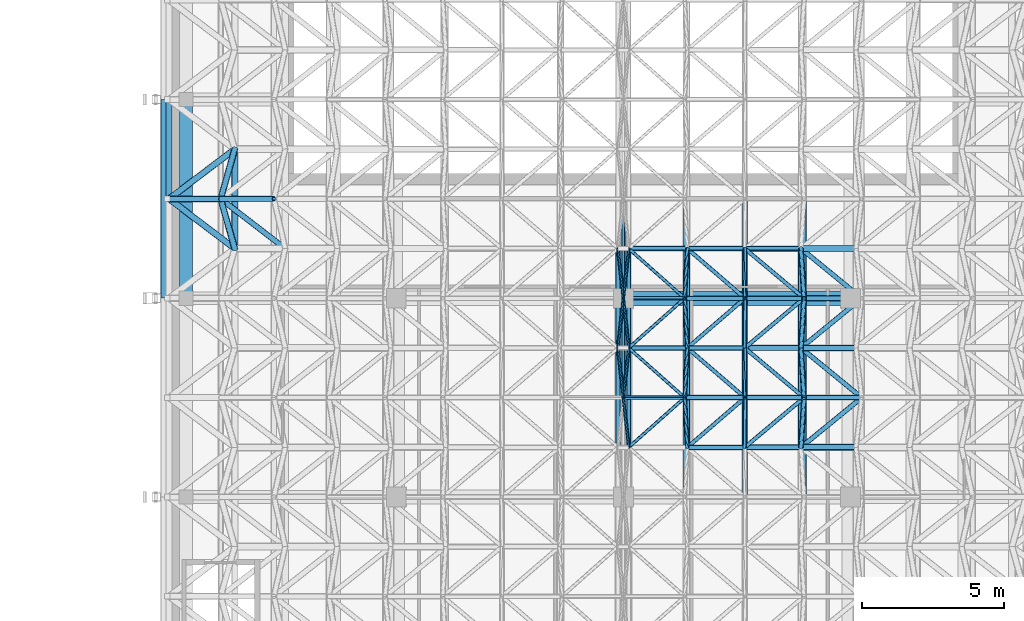
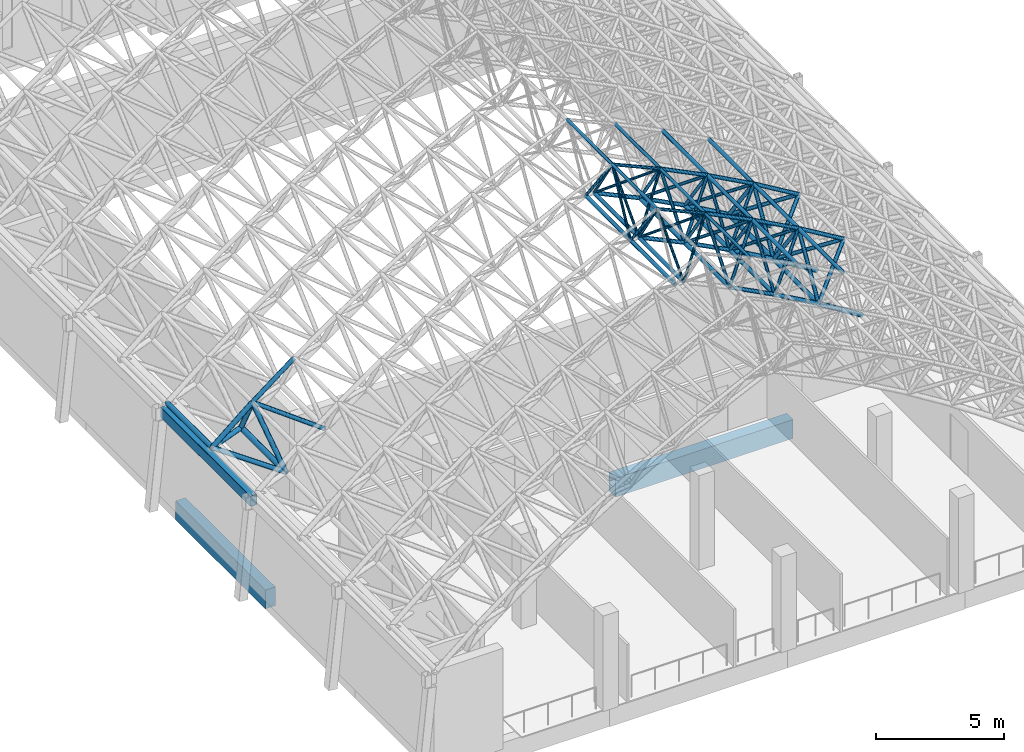
# One storey, part 42 of 141: 84 members, 3 beams.
"""IFC4 building model written with IfcOpenShell, lengths in metres."""

from ifc_helpers import new_model, si_unit, direction, frame, origin, origin_2d, place, context, subcontext, project, spatial, rectangle, hollow_rectangle, hollow_circle, extrude, material, material_profile, profile_set, type_object, element, save


model = new_model("IFC4")

# Units and contexts
model_context = context("Model", 3, precision=1e-05, world=origin(), true_north=direction((0.0, 1.0)))
body_context = subcontext(model_context, "Body", "Model", "MODEL_VIEW")
ifc_project = project(units=[si_unit("LENGTHUNIT", "METRE"), si_unit("AREAUNIT", "SQUARE_METRE"), si_unit("VOLUMEUNIT", "CUBIC_METRE"), si_unit("PLANEANGLEUNIT", "RADIAN"), si_unit("MASSUNIT", "GRAM", prefix="KILO")], contexts=[model_context])

# Site, building, storey
site_placement = place(None, origin())
site = spatial("IfcSite", under=ifc_project, at=site_placement, CompositionType="ELEMENT")
building_placement = place(site_placement, origin())
building = spatial("IfcBuilding", under=site, at=building_placement, Name="Lantern Court Media Centre", CompositionType="ELEMENT")
storey_placement = place(building_placement, frame((0.0, 0.0, 9.60009765625)))
storey = spatial("IfcBuildingStorey", under=building, at=storey_placement, Name="L02", CompositionType="ELEMENT", Elevation=9.60009765625)

# Beams
ifc_material_1 = material(Name="Concrete C35", Category="concrete")
ifc_material_profile_1 = material_profile(ifc_material_1, rectangle(XDim=0.449951171875, YDim=0.89990234375, at=origin_2d()), Name="RC 450x900")
ifc_profile_set_1 = profile_set([ifc_material_profile_1], Name="Concrete C35")
beam_type_1 = type_object("IfcBeamType", Name="RC BEAM 450x900", PredefinedType="BEAM", material=ifc_profile_set_1)
beam_1_placement = place(storey_placement, frame((72.60009765625, 12.0, -0.4501953125), z_axis=(0.0, 1.0, 0.0), x_axis=(-1.0, 0.0, 0.0)))
element("IfcBeam", 1, at=beam_1_placement, inside=storey, type_object=beam_type_1, Name="HB-V2-L02-FY0-2", PredefinedType="BEAM", context=body_context, shape_type="SweptSolid", body=[
    extrude(rectangle(XDim=0.449951171875, YDim=0.89990234375, at=origin_2d()), origin(), (0.0, 0.0, 1.0), 7.0),
])
ifc_material_profile_2 = material_profile(ifc_material_1, rectangle(XDim=0.5, YDim=0.89990234375, at=origin_2d()), Name="RC 500x900")
ifc_profile_set_2 = profile_set([ifc_material_profile_2], Name="Concrete C35")
beam_type_2 = type_object("IfcBeamType", Name="RC BEAM 500x900", PredefinedType="BEAM", material=ifc_profile_set_2)
beam_2_placement = place(storey_placement, frame((88.0, 12.0, -0.4501953125), z_axis=(1.0, 0.0, 0.0), x_axis=(0.0, 1.0, 0.0)))
element("IfcBeam", 2, at=beam_2_placement, inside=storey, type_object=beam_type_2, Name="HB-V2-L02-FX2-2", PredefinedType="BEAM", context=body_context, shape_type="SweptSolid", body=[
    extrude(rectangle(XDim=0.5, YDim=0.89990234375, at=origin_2d()), origin(), (0.0, 0.0, 1.0), 8.0),
])

# Members
ifc_material_2 = material(Name="Steel S355J2 (EN 10025-2)", Category="steel")
ifc_material_profile_3 = material_profile(ifc_material_2, hollow_circle(Radius=0.084228515625, WallThickness=0.00634765625, at=origin_2d()), Name="Studio Hall bottom CHS 168.3x6.3")
ifc_profile_set_3 = profile_set([ifc_material_profile_3], Name="Steel S355J2 (EN 10025-2)")
member_type_1 = type_object("IfcMemberType", Name="Studio Hall bottom CHS 168.3x6.3", PredefinedType="CHORD", material=ifc_profile_set_3)
for number, where, z_axis, x_axis, name in (
    (3, (87.812255859375, 6.75, 12.31884765625), (0.0, 1.0, 0.0), (-1.0, 0.0, 0.0), "Studio Hall bottom chord 08-03"),
    (4, (88.187744140625, 6.75, 12.31884765625), (0.0, 1.0, 0.0), (-1.0, 0.0, 0.0), "Studio Hall bottom chord 09-03"),
    (5, (87.812255859375, 10.25, 12.31884765625), (0.0, 1.0, 0.0), (-1.0, 0.0, 0.0), "Studio Hall bottom chord 08-04"),
    (6, (88.187744140625, 10.25, 12.31884765625), (0.0, 1.0, 0.0), (-1.0, 0.0, 0.0), "Studio Hall bottom chord 09-04"),
):
    element("IfcMember", number, at=place(storey_placement, frame(where, z_axis=z_axis, x_axis=x_axis)), inside=storey, type_object=member_type_1, Name=name, PredefinedType="CHORD", context=body_context, shape_type="SweptSolid", body=[
        extrude(hollow_circle(Radius=0.084228515625, WallThickness=0.00634765625, at=origin_2d()), origin(), (0.0, 0.0, 1.0), 3.5),
    ])
ifc_material_profile_4 = material_profile(ifc_material_2, hollow_circle(Radius=0.0888671875, WallThickness=0.008056640625, at=origin_2d()), Name="Studio Hall bottom CHS 177.8x8")
ifc_profile_set_4 = profile_set([ifc_material_profile_4], Name="Steel S355J2 (EN 10025-2)")
member_type_2 = type_object("IfcMemberType", Name="Studio Hall bottom CHS 177.8x8", PredefinedType="CHORD", material=ifc_profile_set_4)
for number, where, z_axis, x_axis, name in (
    (7, (90.251708984375, 6.75, 11.3466796875), (0.0, 1.0, 0.0), (-1.0, 0.0, 0.0), "Studio Hall bottom chord 10-03"),
    (8, (92.275634765625, 6.75, 10.2939453125), (0.0, 1.0, 0.0), (-1.0, 0.0, 0.0), "Studio Hall bottom chord 11-03"),
    (9, (90.251708984375, 10.25, 11.3466796875), (0.0, 1.0, 0.0), (-1.0, 0.0, 0.0), "Studio Hall bottom chord 10-04"),
    (10, (92.275634765625, 10.25, 10.2939453125), (0.0, 1.0, 0.0), (-1.0, 0.0, 0.0), "Studio Hall bottom chord 11-04"),
):
    element("IfcMember", number, at=place(storey_placement, frame(where, z_axis=z_axis, x_axis=x_axis)), inside=storey, type_object=member_type_2, Name=name, PredefinedType="CHORD", context=body_context, shape_type="SweptSolid", body=[
        extrude(hollow_circle(Radius=0.0888671875, WallThickness=0.008056640625, at=origin_2d()), origin(), (0.0, 0.0, 1.0), 3.5),
    ])
member_1_placement = place(storey_placement, frame((90.251708984375, 6.75, 11.3466796875), z_axis=(0.887164230848, 0.0, -0.461453819471), x_axis=(0.0, 1.0, 0.0)))
element("IfcMember", 11, at=member_1_placement, inside=storey, type_object=member_type_2, Name="Studio Hall bottom chord 10-03 across", PredefinedType="CHORD", context=body_context, shape_type="SweptSolid", body=[
    extrude(hollow_circle(Radius=0.0888671875, WallThickness=0.008056640625, at=origin_2d()), origin(), (0.0, 0.0, 1.0), 2.28125),
])
member_2_placement = place(storey_placement, frame((88.187744140625, 10.25, 12.31884765625), z_axis=(0.904668285171, 0.0, -0.426116526088), x_axis=(0.0, 1.0, 0.0)))
element("IfcMember", 12, at=member_2_placement, inside=storey, type_object=member_type_2, Name="Studio Hall bottom chord 09-04 across", PredefinedType="CHORD", context=body_context, shape_type="SweptSolid", body=[
    extrude(hollow_circle(Radius=0.0888671875, WallThickness=0.008056640625, at=origin_2d()), origin(), (0.0, 0.0, 1.0), 2.281494140625),
])
member_3_placement = place(storey_placement, frame((90.251708984375, 10.25, 11.3466796875), z_axis=(0.887164230848, 0.0, -0.461453819471), x_axis=(0.0, 1.0, 0.0)))
element("IfcMember", 13, at=member_3_placement, inside=storey, type_object=member_type_2, Name="Studio Hall bottom chord 10-04 across", PredefinedType="CHORD", context=body_context, shape_type="SweptSolid", body=[
    extrude(hollow_circle(Radius=0.0888671875, WallThickness=0.008056640625, at=origin_2d()), origin(), (0.0, 0.0, 1.0), 2.28125),
])
member_4_placement = place(storey_placement, frame((88.187744140625, 13.75, 12.31884765625), z_axis=(0.904668285171, 0.0, -0.426116526088), x_axis=(0.0, 1.0, 0.0)))
element("IfcMember", 14, at=member_4_placement, inside=storey, type_object=member_type_2, Name="Studio Hall bottom chord 09-05 across", PredefinedType="CHORD", context=body_context, shape_type="SweptSolid", body=[
    extrude(hollow_circle(Radius=0.0888671875, WallThickness=0.008056640625, at=origin_2d()), origin(), (0.0, 0.0, 1.0), 2.281494140625),
])
member_5_placement = place(storey_placement, frame((90.251708984375, 13.75, 11.3466796875), z_axis=(0.887164230848, 0.0, -0.461453819471), x_axis=(0.0, 1.0, 0.0)))
element("IfcMember", 15, at=member_5_placement, inside=storey, type_object=member_type_2, Name="Studio Hall bottom chord 10-05 across", PredefinedType="CHORD", context=body_context, shape_type="SweptSolid", body=[
    extrude(hollow_circle(Radius=0.0888671875, WallThickness=0.008056640625, at=origin_2d()), origin(), (0.0, 0.0, 1.0), 2.28125),
])
ifc_material_profile_5 = material_profile(ifc_material_2, hollow_circle(Radius=0.096923828125, WallThickness=0.008056640625, at=origin_2d()), Name="Studio Hall bottom CHS 193.7x8")
ifc_profile_set_5 = profile_set([ifc_material_profile_5], Name="Steel S355J2 (EN 10025-2)")
member_type_3 = type_object("IfcMemberType", Name="Studio Hall bottom CHS 193.7x8", PredefinedType="CHORD", material=ifc_profile_set_5)
for number, where, z_axis, x_axis, name in (
    (16, (94.25634765625, 6.75, 9.162109375), (0.0, 1.0, 0.0), (-1.0, 0.0, 0.0), "Studio Hall bottom chord 12-03"),
    (17, (94.25634765625, 10.25, 9.162109375), (0.0, 1.0, 0.0), (-1.0, 0.0, 0.0), "Studio Hall bottom chord 12-04"),
):
    element("IfcMember", number, at=place(storey_placement, frame(where, z_axis=z_axis, x_axis=x_axis)), inside=storey, type_object=member_type_3, Name=name, PredefinedType="CHORD", context=body_context, shape_type="SweptSolid", body=[
        extrude(hollow_circle(Radius=0.096923828125, WallThickness=0.008056640625, at=origin_2d()), origin(), (0.0, 0.0, 1.0), 3.5),
    ])
for number, where, z_axis, x_axis, name in (
    (18, (92.275634765625, 6.75, 10.2939453125), (0.868243142124, 0.0, -0.496138938357), (0.0, 1.0, 0.0), "Studio Hall bottom chord 11-03 across"),
    (19, (92.275634765625, 10.25, 10.2939453125), (0.868243142124, 0.0, -0.496138938357), (0.0, 1.0, 0.0), "Studio Hall bottom chord 11-04 across"),
    (20, (92.275634765625, 13.75, 10.2939453125), (0.868243142124, 0.0, -0.496138938357), (0.0, 1.0, 0.0), "Studio Hall bottom chord 11-05 across"),
):
    element("IfcMember", number, at=place(storey_placement, frame(where, z_axis=z_axis, x_axis=x_axis)), inside=storey, type_object=member_type_3, Name=name, PredefinedType="CHORD", context=body_context, shape_type="SweptSolid", body=[
        extrude(hollow_circle(Radius=0.096923828125, WallThickness=0.008056640625, at=origin_2d()), origin(), (0.0, 0.0, 1.0), 2.28125),
    ])
ifc_material_profile_6 = material_profile(ifc_material_2, hollow_circle(Radius=0.109619140625, WallThickness=0.010009765625, at=origin_2d()), Name="Studio Hall bottom CHS 219.1x10")
ifc_profile_set_6 = profile_set([ifc_material_profile_6], Name="Steel S355J2 (EN 10025-2)")
member_type_4 = type_object("IfcMemberType", Name="Studio Hall bottom CHS 219.1x10", PredefinedType="CHORD", material=ifc_profile_set_6)
for number, where, z_axis, x_axis, name in (
    (21, (94.25634765625, 6.75, 9.162109375), (0.848022352453, 0.0, -0.529960460544), (0.0, 1.0, 0.0), "Studio Hall bottom chord 12-03 across"),
    (22, (94.25634765625, 10.25, 9.162109375), (0.848022352453, 0.0, -0.529960460544), (0.0, 1.0, 0.0), "Studio Hall bottom chord 12-04 across"),
    (23, (94.25634765625, 13.75, 9.162109375), (0.848022352453, 0.0, -0.529960460544), (0.0, 1.0, 0.0), "Studio Hall bottom chord 12-05 across"),
):
    element("IfcMember", number, at=place(storey_placement, frame(where, z_axis=z_axis, x_axis=x_axis)), inside=storey, type_object=member_type_4, Name=name, PredefinedType="CHORD", context=body_context, shape_type="SweptSolid", body=[
        extrude(hollow_circle(Radius=0.109619140625, WallThickness=0.010009765625, at=origin_2d()), origin(), (0.0, 0.0, 1.0), 2.28125),
    ])
ifc_material_profile_7 = material_profile(ifc_material_2, hollow_circle(Radius=0.122314453125, WallThickness=0.02001953125, at=origin_2d()), Name="Studio Hall bottom CHS 244.5x20")
ifc_profile_set_7 = profile_set([ifc_material_profile_7], Name="Steel S355J2 (EN 10025-2)")
member_type_5 = type_object("IfcMemberType", Name="Studio Hall bottom CHS 244.5x20", PredefinedType="CHORD", material=ifc_profile_set_7)
member_6_placement = place(storey_placement, frame((74.3125, 13.75, 3.881591796875), z_axis=(0.0, 1.0, 0.0), x_axis=(-1.0, 0.0, 0.0)))
element("IfcMember", 24, at=member_6_placement, inside=storey, type_object=member_type_5, Name="Studio Hall bottom chord 01-05", PredefinedType="CHORD", context=body_context, shape_type="SweptSolid", body=[
    extrude(hollow_circle(Radius=0.122314453125, WallThickness=0.02001953125, at=origin_2d()), origin(), (0.0, 0.0, 1.0), 3.5),
])
ifc_material_profile_8 = material_profile(ifc_material_2, hollow_circle(Radius=0.05712890625, WallThickness=0.0048828125, at=origin_2d()), Name="Studio Hall diagonal CHS 114.3x5")
ifc_profile_set_8 = profile_set([ifc_material_profile_8], Name="Steel S355J2 (EN 10025-2)")
member_type_6 = type_object("IfcMemberType", Name="Studio Hall diagonal CHS 114.3x5", PredefinedType="BRACE", material=ifc_profile_set_8)
member_7_placement = place(storey_placement, frame((88.187744140625, 6.75, 12.31884765625), z_axis=(0.64897917405, 0.57530085575, 0.497850335967), x_axis=(-0.663352272412, 0.748307264889, 0.0)))
element("IfcMember", 25, at=member_7_placement, inside=storey, type_object=member_type_6, Name="Studio Hall diagonal 09-03-3", PredefinedType="BRACE", context=body_context, shape_type="SweptSolid", body=[
    extrude(hollow_circle(Radius=0.05712890625, WallThickness=0.0048828125, at=origin_2d()), origin(), (0.0, 0.0, 1.0), 3.0419921875),
])
for number, where, z_axis, x_axis, name in (
    (26, (88.187744140625, 6.75, 12.31884765625), (-0.061720233377, 0.575306414621, 0.815605996844), (-0.994294451035, -0.106670261279, 0.0), "Studio Hall diagonal 09-03-4"),
    (27, (87.812255859375, 10.25, 12.31884765625), (0.061720233377, -0.575306414621, 0.815605996844), (0.994294451035, 0.106670261279, 0.0), "Studio Hall diagonal 08-04-2"),
    (28, (87.812255859375, 10.25, 12.31884765625), (0.061720233377, 0.575306414621, 0.815605996844), (-0.994294451035, 0.106670261279, 0.0), "Studio Hall diagonal 08-04-3"),
    (29, (88.187744140625, 10.25, 12.31884765625), (-0.061720233377, -0.575306414621, 0.815605996844), (0.994294451035, -0.106670261279, 0.0), "Studio Hall diagonal 09-04-1"),
):
    element("IfcMember", number, at=place(storey_placement, frame(where, z_axis=z_axis, x_axis=x_axis)), inside=storey, type_object=member_type_6, Name=name, PredefinedType="BRACE", context=body_context, shape_type="SweptSolid", body=[
        extrude(hollow_circle(Radius=0.05712890625, WallThickness=0.0048828125, at=origin_2d()), origin(), (0.0, 0.0, 1.0), 3.041748046875),
    ])
for number, where, z_axis, x_axis, name in (
    (30, (88.187744140625, 10.25, 12.31884765625), (0.64897917405, -0.57530085575, 0.497850335967), (0.663352272412, 0.748307264889, 0.0), "Studio Hall diagonal 09-04-2"),
    (31, (88.187744140625, 10.25, 12.31884765625), (0.64897917405, 0.57530085575, 0.497850335967), (-0.663352272412, 0.748307264889, 0.0), "Studio Hall diagonal 09-04-3"),
):
    element("IfcMember", number, at=place(storey_placement, frame(where, z_axis=z_axis, x_axis=x_axis)), inside=storey, type_object=member_type_6, Name=name, PredefinedType="BRACE", context=body_context, shape_type="SweptSolid", body=[
        extrude(hollow_circle(Radius=0.05712890625, WallThickness=0.0048828125, at=origin_2d()), origin(), (0.0, 0.0, 1.0), 3.0419921875),
    ])
for number, where, z_axis, x_axis, name in (
    (32, (88.187744140625, 10.25, 12.31884765625), (-0.061720233377, 0.575306414621, 0.815605996844), (-0.994294451035, -0.106670261279, 0.0), "Studio Hall diagonal 09-04-4"),
    (33, (87.812255859375, 13.75, 12.31884765625), (0.061720233377, -0.575306414621, 0.815605996844), (0.994294451035, 0.106670261279, 0.0), "Studio Hall diagonal 08-05-2"),
    (34, (88.187744140625, 13.75, 12.31884765625), (-0.061720233377, -0.575306414621, 0.815605996844), (0.994294451035, -0.106670261279, 0.0), "Studio Hall diagonal 09-05-1"),
):
    element("IfcMember", number, at=place(storey_placement, frame(where, z_axis=z_axis, x_axis=x_axis)), inside=storey, type_object=member_type_6, Name=name, PredefinedType="BRACE", context=body_context, shape_type="SweptSolid", body=[
        extrude(hollow_circle(Radius=0.05712890625, WallThickness=0.0048828125, at=origin_2d()), origin(), (0.0, 0.0, 1.0), 3.041748046875),
    ])
member_8_placement = place(storey_placement, frame((88.187744140625, 13.75, 12.31884765625), z_axis=(0.64897917405, -0.57530085575, 0.497850335967), x_axis=(0.663352272412, 0.748307264889, 0.0)))
element("IfcMember", 35, at=member_8_placement, inside=storey, type_object=member_type_6, Name="Studio Hall diagonal 09-05-2", PredefinedType="BRACE", context=body_context, shape_type="SweptSolid", body=[
    extrude(hollow_circle(Radius=0.05712890625, WallThickness=0.0048828125, at=origin_2d()), origin(), (0.0, 0.0, 1.0), 3.0419921875),
])
ifc_material_profile_9 = material_profile(ifc_material_2, hollow_circle(Radius=0.06982421875, WallThickness=0.00634765625, at=origin_2d()), Name="Studio Hall diagonal CHS 139.7x6.3")
ifc_profile_set_9 = profile_set([ifc_material_profile_9], Name="Steel S355J2 (EN 10025-2)")
member_type_7 = type_object("IfcMemberType", Name="Studio Hall diagonal CHS 139.7x6.3", PredefinedType="BRACE", material=ifc_profile_set_9)
for number, where, z_axis, x_axis, name in (
    (36, (90.251708984375, 6.75, 11.3466796875), (0.668074997838, 0.575295721349, 0.471922271419), (-0.652528943422, 0.757763800927, 0.0), "Studio Hall diagonal 10-03-3"),
    (37, (90.251708984375, 6.75, 11.3466796875), (-0.029534674704, 0.575284098581, 0.817420276792), (-0.998684738299, -0.051271761118, 0.0), "Studio Hall diagonal 10-03-4"),
    (38, (92.275634765625, 6.75, 10.2939453125), (0.686219606918, 0.575300835367, 0.445119759061), (-0.642456097081, 0.76632249303, 0.0), "Studio Hall diagonal 11-03-3"),
    (39, (92.275634765625, 6.75, 10.2939453125), (0.002728673556, 0.575268589684, 0.817960025957), (-0.999988750725, 0.004743250213, 0.0), "Studio Hall diagonal 11-03-4"),
    (40, (90.251708984375, 10.25, 11.3466796875), (-0.029534674704, -0.575284098581, 0.817420276792), (0.998684738299, -0.051271761118, 0.0), "Studio Hall diagonal 10-04-1"),
    (41, (90.251708984375, 10.25, 11.3466796875), (0.668074997838, -0.575295721349, 0.471922271419), (0.652528943422, 0.757763800927, 0.0), "Studio Hall diagonal 10-04-2"),
    (42, (90.251708984375, 10.25, 11.3466796875), (0.668074997838, 0.575295721349, 0.471922271419), (-0.652528943422, 0.757763800927, 0.0), "Studio Hall diagonal 10-04-3"),
    (43, (90.251708984375, 10.25, 11.3466796875), (-0.029534674704, 0.575284098581, 0.817420276792), (-0.998684738299, -0.051271761118, 0.0), "Studio Hall diagonal 10-04-4"),
    (44, (92.275634765625, 10.25, 10.2939453125), (0.002728673556, -0.575268589684, 0.817960025957), (0.999988750725, 0.004743250213, 0.0), "Studio Hall diagonal 11-04-1"),
    (45, (92.275634765625, 10.25, 10.2939453125), (0.686219606918, -0.575300835367, 0.445119759061), (0.642456097081, 0.76632249303, 0.0), "Studio Hall diagonal 11-04-2"),
    (46, (92.275634765625, 10.25, 10.2939453125), (0.686219606918, 0.575300835367, 0.445119759061), (-0.642456097081, 0.76632249303, 0.0), "Studio Hall diagonal 11-04-3"),
    (47, (92.275634765625, 10.25, 10.2939453125), (0.002728673556, 0.575268589684, 0.817960025957), (-0.999988750725, 0.004743250213, 0.0), "Studio Hall diagonal 11-04-4"),
    (48, (90.251708984375, 13.75, 11.3466796875), (-0.029534674704, -0.575284098581, 0.817420276792), (0.998684738299, -0.051271761118, 0.0), "Studio Hall diagonal 10-05-1"),
    (49, (90.251708984375, 13.75, 11.3466796875), (0.668074997838, -0.575295721349, 0.471922271419), (0.652528943422, 0.757763800927, 0.0), "Studio Hall diagonal 10-05-2"),
    (50, (92.275634765625, 13.75, 10.2939453125), (0.002728673556, -0.575268589684, 0.817960025957), (0.999988750725, 0.004743250213, 0.0), "Studio Hall diagonal 11-05-1"),
    (51, (92.275634765625, 13.75, 10.2939453125), (0.686219606918, -0.575300835367, 0.445119759061), (0.642456097081, 0.76632249303, 0.0), "Studio Hall diagonal 11-05-2"),
):
    element("IfcMember", number, at=place(storey_placement, frame(where, z_axis=z_axis, x_axis=x_axis)), inside=storey, type_object=member_type_7, Name=name, PredefinedType="BRACE", context=body_context, shape_type="SweptSolid", body=[
        extrude(hollow_circle(Radius=0.06982421875, WallThickness=0.00634765625, at=origin_2d()), origin(), (0.0, 0.0, 1.0), 3.0419921875),
    ])
ifc_material_profile_10 = material_profile(ifc_material_2, hollow_circle(Radius=0.084228515625, WallThickness=0.00634765625, at=origin_2d()), Name="Studio Hall diagonal CHS 168.3x6.3")
ifc_profile_set_10 = profile_set([ifc_material_profile_10], Name="Steel S355J2 (EN 10025-2)")
member_type_8 = type_object("IfcMemberType", Name="Studio Hall diagonal CHS 168.3x6.3", PredefinedType="BRACE", material=ifc_profile_set_10)
for number, where, z_axis, x_axis, name in (
    (52, (94.25634765625, 6.75, 9.162109375), (0.703225463004, 0.575293325589, 0.417745781207), (-0.633189685482, 0.77399665516, 0.0), "Studio Hall diagonal 12-03-3"),
    (53, (94.25634765625, 6.75, 9.162109375), (0.035073053804, 0.575294392838, 0.817194127773), (-0.99814677432, 0.060852419138, 0.0), "Studio Hall diagonal 12-03-4"),
    (54, (94.25634765625, 10.25, 9.162109375), (0.035073053804, -0.575294392838, 0.817194127773), (0.99814677432, 0.060852419138, 0.0), "Studio Hall diagonal 12-04-1"),
    (55, (94.25634765625, 10.25, 9.162109375), (0.703225463004, -0.575293325589, 0.417745781207), (0.633189685482, 0.77399665516, 0.0), "Studio Hall diagonal 12-04-2"),
    (56, (94.25634765625, 10.25, 9.162109375), (0.703225463004, 0.575293325589, 0.417745781207), (-0.633189685482, 0.77399665516, 0.0), "Studio Hall diagonal 12-04-3"),
    (57, (94.25634765625, 10.25, 9.162109375), (0.035073053804, 0.575294392838, 0.817194127773), (-0.99814677432, 0.060852419138, 0.0), "Studio Hall diagonal 12-04-4"),
    (58, (94.25634765625, 13.75, 9.162109375), (0.035073053804, -0.575294392838, 0.817194127773), (0.99814677432, 0.060852419138, 0.0), "Studio Hall diagonal 12-05-1"),
    (59, (94.25634765625, 13.75, 9.162109375), (0.703225463004, -0.575293325589, 0.417745781207), (0.633189685482, 0.77399665516, 0.0), "Studio Hall diagonal 12-05-2"),
):
    element("IfcMember", number, at=place(storey_placement, frame(where, z_axis=z_axis, x_axis=x_axis)), inside=storey, type_object=member_type_8, Name=name, PredefinedType="BRACE", context=body_context, shape_type="SweptSolid", body=[
        extrude(hollow_circle(Radius=0.084228515625, WallThickness=0.00634765625, at=origin_2d()), origin(), (0.0, 0.0, 1.0), 3.0419921875),
    ])
ifc_material_profile_11 = material_profile(ifc_material_2, hollow_circle(Radius=0.096923828125, WallThickness=0.010009765625, at=origin_2d()), Name="Studio Hall diagonal CHS 193.7x10")
ifc_profile_set_11 = profile_set([ifc_material_profile_11], Name="Steel S355J2 (EN 10025-2)")
member_type_9 = type_object("IfcMemberType", Name="Studio Hall diagonal CHS 193.7x10", PredefinedType="BRACE", material=ifc_profile_set_11)
member_9_placement = place(storey_placement, frame((76.090576171875, 13.75, 5.310546875), z_axis=(-0.747676961141, 0.575284291269, 0.331703400644), x_axis=(-0.609809429153, -0.792548080634, 0.0)))
element("IfcMember", 60, at=member_9_placement, inside=storey, type_object=member_type_9, Name="Studio Hall diagonal 02-05-4", PredefinedType="BRACE", context=body_context, shape_type="SweptSolid", body=[
    extrude(hollow_circle(Radius=0.096923828125, WallThickness=0.010009765625, at=origin_2d()), origin(), (0.0, 0.0, 1.0), 3.0419921875),
])
ifc_material_profile_12 = material_profile(ifc_material_2, hollow_circle(Radius=0.109619140625, WallThickness=0.010009765625, at=origin_2d()), Name="Studio Hall diagonal CHS 219.1x10")
ifc_profile_set_12 = profile_set([ifc_material_profile_12], Name="Steel S355J2 (EN 10025-2)")
member_type_10 = type_object("IfcMemberType", Name="Studio Hall diagonal CHS 219.1x10", PredefinedType="BRACE", material=ifc_profile_set_12)
member_10_placement = place(storey_placement, frame((74.3125, 13.75, 3.881591796875), z_axis=(-0.163171626005, 0.575314419679, 0.801491321835), x_axis=(-0.962053941871, -0.2728593281, 0.0)))
element("IfcMember", 61, at=member_10_placement, inside=storey, type_object=member_type_10, Name="Studio Hall diagonal 01-05-3", PredefinedType="BRACE", context=body_context, shape_type="SweptSolid", body=[
    extrude(hollow_circle(Radius=0.109619140625, WallThickness=0.010009765625, at=origin_2d()), origin(), (0.0, 0.0, 1.0), 3.041748046875),
])
for number, where, z_axis, x_axis, name in (
    (62, (74.3125, 13.75, 3.881591796875), (-0.760210907984, 0.575294741177, 0.301853169862), (-0.603442670186, -0.797406385602, 0.0), "Studio Hall diagonal 01-05-4"),
    (63, (74.3125, 17.25, 3.881591796875), (-0.760210907984, -0.575294741177, 0.301853169862), (0.603442670186, -0.797406385602, 0.0), "Studio Hall diagonal 01-06-1"),
):
    element("IfcMember", number, at=place(storey_placement, frame(where, z_axis=z_axis, x_axis=x_axis)), inside=storey, type_object=member_type_10, Name=name, PredefinedType="BRACE", context=body_context, shape_type="SweptSolid", body=[
        extrude(hollow_circle(Radius=0.109619140625, WallThickness=0.010009765625, at=origin_2d()), origin(), (0.0, 0.0, 1.0), 3.0419921875),
    ])
member_11_placement = place(storey_placement, frame((74.3125, 17.25, 3.881591796875), z_axis=(-0.163171626005, -0.575314419679, 0.801491321835), x_axis=(0.962053941871, -0.2728593281, 0.0)))
element("IfcMember", 64, at=member_11_placement, inside=storey, type_object=member_type_10, Name="Studio Hall diagonal 01-06-2", PredefinedType="BRACE", context=body_context, shape_type="SweptSolid", body=[
    extrude(hollow_circle(Radius=0.109619140625, WallThickness=0.010009765625, at=origin_2d()), origin(), (0.0, 0.0, 1.0), 3.041748046875),
])

# Beam
ifc_material_profile_13 = material_profile(ifc_material_2, hollow_rectangle(XDim=0.300048828125, YDim=0.5, WallThickness=0.01611328125, InnerFilletRadius=0.01611328125, OuterFilletRadius=0.02392578125, at=origin_2d()), Name="Studio Hall edge girder RHS 500x300x16")
ifc_profile_set_13 = profile_set([ifc_material_profile_13], Name="Steel S355J2 (EN 10025-2)")
beam_type_3 = type_object("IfcBeamType", Name="Studio Hall edge girder RHS 500x300x16", PredefinedType="BEAM", material=ifc_profile_set_13)
beam_3_placement = place(storey_placement, frame((71.85009765625, 12.0, 4.449951171875), z_axis=(0.0, 1.0, 0.0), x_axis=(-1.0, 0.0, 0.0)))
element("IfcBeam", 65, at=beam_3_placement, inside=storey, type_object=beam_type_3, Name="Studio Hall edge girder west 3", PredefinedType="BEAM", context=body_context, shape_type="SweptSolid", body=[
    extrude(hollow_rectangle(XDim=0.300048828125, YDim=0.5, WallThickness=0.01611328125, InnerFilletRadius=0.01611328125, OuterFilletRadius=0.02392578125, at=origin_2d()), origin(), (0.0, 0.0, 1.0), 7.0),
])

# Members
ifc_material_profile_14 = material_profile(ifc_material_2, hollow_circle(Radius=0.06982421875, WallThickness=0.00634765625, at=origin_2d()), Name="Studio Hall top CHS 139.7x6.3")
ifc_profile_set_14 = profile_set([ifc_material_profile_14], Name="Steel S355J2 (EN 10025-2)")
member_type_11 = type_object("IfcMemberType", Name="Studio Hall top CHS 139.7x6.3", PredefinedType="CHORD", material=ifc_profile_set_14)
for number, where, z_axis, x_axis, name in (
    (66, (90.161865234375, 5.0, 13.833251953125), (0.0, 1.0, 0.0), (-1.0, 0.0, 0.0), "Studio Hall top chord 10-03"),
    (67, (88.0, 8.5, 14.7998046875), (0.0, 1.0, 0.0), (-1.0, 0.0, 0.0), "Studio Hall top chord 09-04"),
    (68, (90.161865234375, 8.5, 13.833251953125), (0.0, 1.0, 0.0), (-1.0, 0.0, 0.0), "Studio Hall top chord 10-04"),
    (69, (88.0, 12.0, 14.7998046875), (0.0, 1.0, 0.0), (-1.0, 0.0, 0.0), "Studio Hall top chord 09-05"),
    (70, (90.161865234375, 12.0, 13.833251953125), (0.0, 1.0, 0.0), (-1.0, 0.0, 0.0), "Studio Hall top chord 10-05"),
):
    element("IfcMember", number, at=place(storey_placement, frame(where, z_axis=z_axis, x_axis=x_axis)), inside=storey, type_object=member_type_11, Name=name, PredefinedType="CHORD", context=body_context, shape_type="SweptSolid", body=[
        extrude(hollow_circle(Radius=0.06982421875, WallThickness=0.00634765625, at=origin_2d()), origin(), (0.0, 0.0, 1.0), 3.5),
    ])
for number, where, z_axis, x_axis, name in (
    (71, (88.0, 8.5, 14.7998046875), (0.912912280931, 0.0, -0.408155812559), (0.0, 1.0, 0.0), "Studio Hall top chord 09-04 across"),
    (72, (88.0, 12.0, 14.7998046875), (0.912912280931, 0.0, -0.408155812559), (0.0, 1.0, 0.0), "Studio Hall top chord 09-05 across"),
):
    element("IfcMember", number, at=place(storey_placement, frame(where, z_axis=z_axis, x_axis=x_axis)), inside=storey, type_object=member_type_11, Name=name, PredefinedType="CHORD", context=body_context, shape_type="SweptSolid", body=[
        extrude(hollow_circle(Radius=0.06982421875, WallThickness=0.00634765625, at=origin_2d()), origin(), (0.0, 0.0, 1.0), 2.3681640625),
    ])
ifc_material_profile_15 = material_profile(ifc_material_2, hollow_circle(Radius=0.084228515625, WallThickness=0.00634765625, at=origin_2d()), Name="Studio Hall top CHS 168.3x6.3")
ifc_profile_set_15 = profile_set([ifc_material_profile_15], Name="Steel S355J2 (EN 10025-2)")
member_type_12 = type_object("IfcMemberType", Name="Studio Hall top CHS 168.3x6.3", PredefinedType="CHORD", material=ifc_profile_set_15)
for number, where, z_axis, x_axis, name in (
    (73, (92.283935546875, 5.0, 12.7822265625), (0.0, 1.0, 0.0), (-1.0, 0.0, 0.0), "Studio Hall top chord 11-03"),
    (74, (94.363037109375, 5.0, 11.64794921875), (0.0, 1.0, 0.0), (-1.0, 0.0, 0.0), "Studio Hall top chord 12-03"),
    (75, (92.283935546875, 8.5, 12.7822265625), (0.0, 1.0, 0.0), (-1.0, 0.0, 0.0), "Studio Hall top chord 11-04"),
    (76, (94.363037109375, 8.5, 11.64794921875), (0.0, 1.0, 0.0), (-1.0, 0.0, 0.0), "Studio Hall top chord 12-04"),
    (77, (92.283935546875, 12.0, 12.7822265625), (0.0, 1.0, 0.0), (-1.0, 0.0, 0.0), "Studio Hall top chord 11-05"),
    (78, (94.363037109375, 12.0, 11.64794921875), (0.0, 1.0, 0.0), (-1.0, 0.0, 0.0), "Studio Hall top chord 12-05"),
):
    element("IfcMember", number, at=place(storey_placement, frame(where, z_axis=z_axis, x_axis=x_axis)), inside=storey, type_object=member_type_12, Name=name, PredefinedType="CHORD", context=body_context, shape_type="SweptSolid", body=[
        extrude(hollow_circle(Radius=0.084228515625, WallThickness=0.00634765625, at=origin_2d()), origin(), (0.0, 0.0, 1.0), 3.5),
    ])
member_12_placement = place(storey_placement, frame((90.161865234375, 8.5, 13.833251953125), z_axis=(0.89611157523, 0.0, -0.443828846222), x_axis=(0.0, 1.0, 0.0)))
element("IfcMember", 79, at=member_12_placement, inside=storey, type_object=member_type_12, Name="Studio Hall top chord 10-04 across", PredefinedType="CHORD", context=body_context, shape_type="SweptSolid", body=[
    extrude(hollow_circle(Radius=0.084228515625, WallThickness=0.00634765625, at=origin_2d()), origin(), (0.0, 0.0, 1.0), 2.3681640625),
])
member_13_placement = place(storey_placement, frame((92.283935546875, 8.5, 12.7822265625), z_axis=(0.877856175106, 0.0, -0.478924352929), x_axis=(0.0, 1.0, 0.0)))
element("IfcMember", 80, at=member_13_placement, inside=storey, type_object=member_type_12, Name="Studio Hall top chord 11-04 across", PredefinedType="CHORD", context=body_context, shape_type="SweptSolid", body=[
    extrude(hollow_circle(Radius=0.084228515625, WallThickness=0.00634765625, at=origin_2d()), origin(), (0.0, 0.0, 1.0), 2.368408203125),
])
member_14_placement = place(storey_placement, frame((90.161865234375, 12.0, 13.833251953125), z_axis=(0.89611157523, 0.0, -0.443828846222), x_axis=(0.0, 1.0, 0.0)))
element("IfcMember", 81, at=member_14_placement, inside=storey, type_object=member_type_12, Name="Studio Hall top chord 10-05 across", PredefinedType="CHORD", context=body_context, shape_type="SweptSolid", body=[
    extrude(hollow_circle(Radius=0.084228515625, WallThickness=0.00634765625, at=origin_2d()), origin(), (0.0, 0.0, 1.0), 2.3681640625),
])
member_15_placement = place(storey_placement, frame((92.283935546875, 12.0, 12.7822265625), z_axis=(0.877856175106, 0.0, -0.478924352929), x_axis=(0.0, 1.0, 0.0)))
element("IfcMember", 82, at=member_15_placement, inside=storey, type_object=member_type_12, Name="Studio Hall top chord 11-05 across", PredefinedType="CHORD", context=body_context, shape_type="SweptSolid", body=[
    extrude(hollow_circle(Radius=0.084228515625, WallThickness=0.00634765625, at=origin_2d()), origin(), (0.0, 0.0, 1.0), 2.368408203125),
])
ifc_material_profile_16 = material_profile(ifc_material_2, hollow_circle(Radius=0.0888671875, WallThickness=0.008056640625, at=origin_2d()), Name="Studio Hall top CHS 177.8x8")
ifc_profile_set_16 = profile_set([ifc_material_profile_16], Name="Steel S355J2 (EN 10025-2)")
member_type_13 = type_object("IfcMemberType", Name="Studio Hall top CHS 177.8x8", PredefinedType="CHORD", material=ifc_profile_set_16)
for number, where, z_axis, x_axis, name in (
    (83, (94.363037109375, 8.5, 11.64794921875), (0.858310578199, 0.0, -0.513130540264), (0.0, 1.0, 0.0), "Studio Hall top chord 12-04 across"),
    (84, (94.363037109375, 12.0, 11.64794921875), (0.858310578199, 0.0, -0.513130540264), (0.0, 1.0, 0.0), "Studio Hall top chord 12-05 across"),
):
    element("IfcMember", number, at=place(storey_placement, frame(where, z_axis=z_axis, x_axis=x_axis)), inside=storey, type_object=member_type_13, Name=name, PredefinedType="CHORD", context=body_context, shape_type="SweptSolid", body=[
        extrude(hollow_circle(Radius=0.0888671875, WallThickness=0.008056640625, at=origin_2d()), origin(), (0.0, 0.0, 1.0), 2.367919921875),
    ])
ifc_material_profile_17 = material_profile(ifc_material_2, hollow_circle(Radius=0.096923828125, WallThickness=0.012451171875, at=origin_2d()), Name="Studio Hall top CHS 193.7x12.5")
ifc_profile_set_17 = profile_set([ifc_material_profile_17], Name="Steel S355J2 (EN 10025-2)")
member_type_14 = type_object("IfcMemberType", Name="Studio Hall top CHS 193.7x12.5", PredefinedType="CHORD", material=ifc_profile_set_17)
member_16_placement = place(storey_placement, frame((73.816162109375, 15.5, 6.319580078125), z_axis=(0.791622688111, 0.0, 0.611010245141), x_axis=(0.0, 1.0, 0.0)))
element("IfcMember", 85, at=member_16_placement, inside=storey, type_object=member_type_14, Name="Studio Hall top chord 02-06 across", PredefinedType="CHORD", context=body_context, shape_type="SweptSolid", body=[
    extrude(hollow_circle(Radius=0.096923828125, WallThickness=0.012451171875, at=origin_2d()), origin(), (0.0, 0.0, 1.0), 2.3681640625),
])
ifc_material_profile_18 = material_profile(ifc_material_2, hollow_circle(Radius=0.109619140625, WallThickness=0.012451171875, at=origin_2d()), Name="Studio Hall top CHS 219.1x12.5")
ifc_profile_set_18 = profile_set([ifc_material_profile_18], Name="Steel S355J2 (EN 10025-2)")
member_type_15 = type_object("IfcMemberType", Name="Studio Hall top CHS 219.1x12.5", PredefinedType="CHORD", material=ifc_profile_set_18)
member_17_placement = place(storey_placement, frame((72.0, 15.5, 4.7998046875), z_axis=(0.0, 1.0, 0.0), x_axis=(-1.0, 0.0, 0.0)))
element("IfcMember", 86, at=member_17_placement, inside=storey, type_object=member_type_15, Name="Studio Hall top chord 01-06", PredefinedType="CHORD", context=body_context, shape_type="SweptSolid", body=[
    extrude(hollow_circle(Radius=0.109619140625, WallThickness=0.012451171875, at=origin_2d()), origin(), (0.0, 0.0, 1.0), 3.5),
])
member_18_placement = place(storey_placement, frame((72.0, 15.5, 4.7998046875), z_axis=(0.766909881815, 0.0, 0.641754807675), x_axis=(0.0, 1.0, 0.0)))
element("IfcMember", 87, at=member_18_placement, inside=storey, type_object=member_type_15, Name="Studio Hall top chord 01-06 across", PredefinedType="CHORD", context=body_context, shape_type="SweptSolid", body=[
    extrude(hollow_circle(Radius=0.109619140625, WallThickness=0.012451171875, at=origin_2d()), origin(), (0.0, 0.0, 1.0), 2.3681640625),
])

save(model, "model.ifc")
